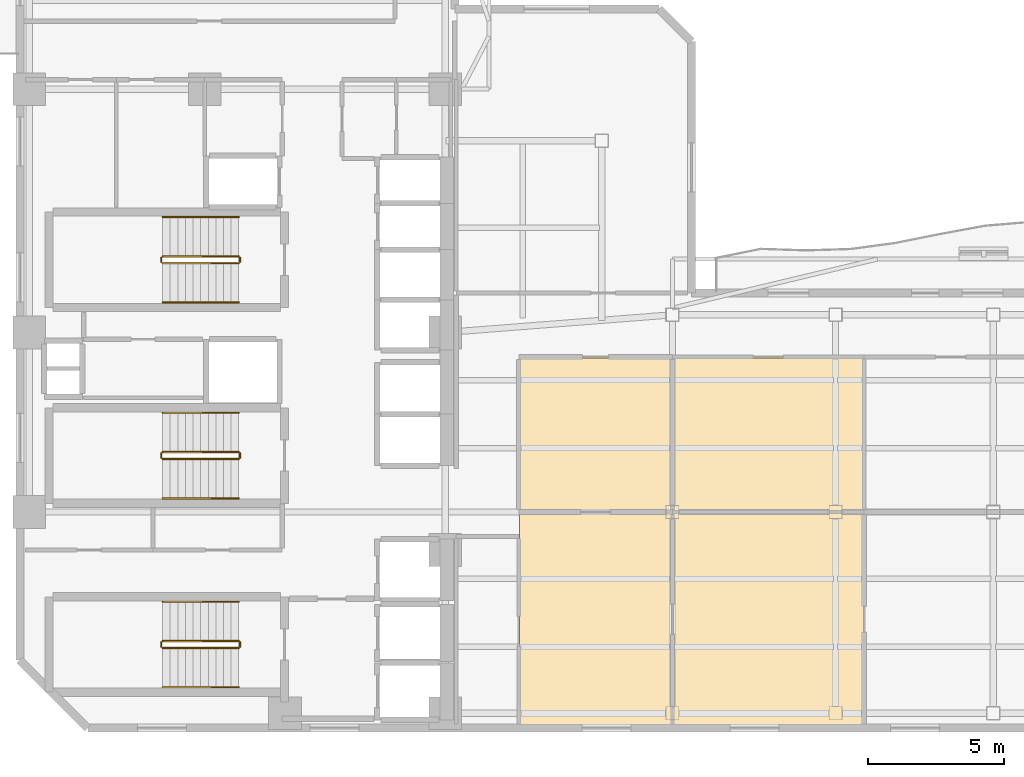
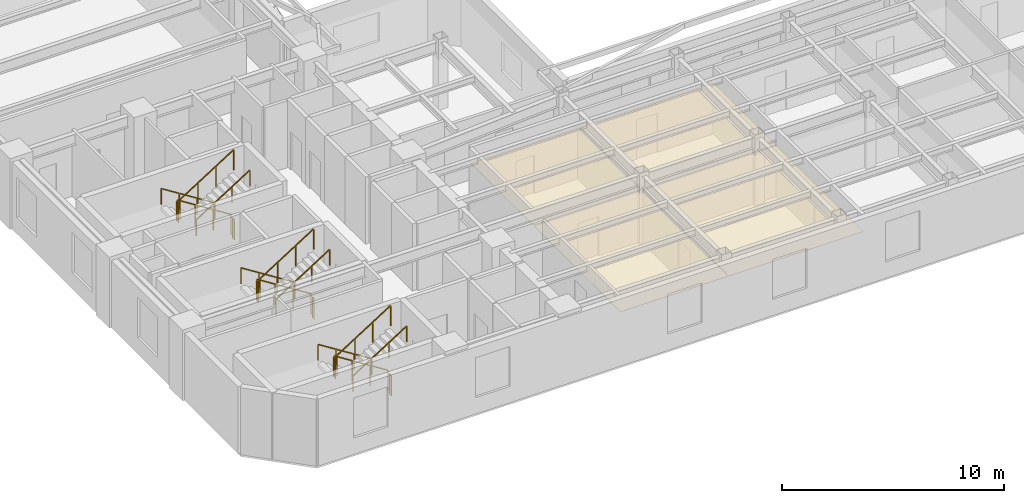
# One storey, part 7 of 9: 18 railings, 4 coverings.
"""IFC4 building model written with IfcOpenShell, lengths in metres."""

from ifc_helpers import new_model, si_unit, direction, frame, origin, origin_2d, place, context, subcontext, project, spatial, polyline, rectangle, outline, extrude, material, layer, layer_set, type_object, element, save


model = new_model("IFC4")

# Units and contexts
model_context = context("Model", 3, precision=1e-05, world=origin(), true_north=direction((0.0, 1.0)))
body_context = subcontext(model_context, "Body", "Model", "MODEL_VIEW")
ifc_project = project(units=[si_unit("LENGTHUNIT", "METRE"), si_unit("AREAUNIT", "SQUARE_METRE"), si_unit("VOLUMEUNIT", "CUBIC_METRE"), si_unit("PLANEANGLEUNIT", "RADIAN"), si_unit("MASSUNIT", "GRAM", prefix="KILO")], contexts=[model_context])

# Site, building, storey
site_placement = place(None, origin())
site = spatial("IfcSite", under=ifc_project, at=site_placement, CompositionType="ELEMENT")
building_placement = place(site_placement, origin())
building = spatial("IfcBuilding", under=site, at=building_placement, Name="Mawjaban Terraces University", CompositionType="ELEMENT")
storey_placement = place(building_placement, frame((0.0, 0.0, 138.5)))
storey = spatial("IfcBuildingStorey", under=building, at=storey_placement, Name="L33", CompositionType="ELEMENT", Elevation=138.5)

# Coverings
ifc_material_1 = material(Name="Acoustic mineral fibre ceiling tile", Category="masonry")
ifc_layer = layer(ifc_material_1, 0.02001953125)
ifc_layer_set = layer_set([ifc_layer], Name="Acoustic mineral fibre ceiling tile")
covering_type = type_object("IfcCoveringType", Name="AcousticMineralCeiling_20", PredefinedType="CEILING", material=ifc_layer_set)
covering_1_placement = place(storey_placement, frame((0.0, 0.0, 2.75)))
element("IfcCovering", 1, at=covering_1_placement, inside=storey, type_object=covering_type, Name="L33 Teaching Laboratory 2 Acoustic Ceiling", PredefinedType="CEILING", context=body_context, shape_type="SweptSolid", body=[
    extrude(outline(polyline([(40.3798828125, 0.114990234375), (45.969970703125, 0.114990234375), (45.969970703125, 7.919921875), (40.3798828125, 7.919921875), (40.3798828125, 0.114990234375)])), origin(), (0.0, 0.0, 1.0), 0.02001953125),
])
covering_2_placement = place(storey_placement, frame((0.0, 0.0, 2.75)))
element("IfcCovering", 2, at=covering_2_placement, inside=storey, type_object=covering_type, Name="L33 Design Studio 3 Acoustic Ceiling", PredefinedType="CEILING", context=body_context, shape_type="SweptSolid", body=[
    extrude(outline(polyline([(45.969970703125, 7.97998046875), (45.969970703125, 13.6201171875), (40.3798828125, 13.6201171875), (40.3798828125, 7.97998046875), (45.969970703125, 7.97998046875)])), origin(), (0.0, 0.0, 1.0), 0.02001953125),
])
covering_3_placement = place(storey_placement, frame((0.0, 0.0, 2.75)))
element("IfcCovering", 3, at=covering_3_placement, inside=storey, type_object=covering_type, Name="L33 Computational Laboratory 4 Acoustic Ceiling", PredefinedType="CEILING", context=body_context, shape_type="SweptSolid", body=[
    extrude(outline(polyline([(46.030029296875, 0.114990234375), (53.02490234375, 0.114990234375), (53.02490234375, 7.919921875), (46.030029296875, 7.919921875), (46.030029296875, 0.114990234375)])), origin(), (0.0, 0.0, 1.0), 0.02001953125),
])
covering_4_placement = place(storey_placement, frame((0.0, 0.0, 2.75)))
element("IfcCovering", 4, at=covering_4_placement, inside=storey, type_object=covering_type, Name="L33 Teaching Laboratory 5 Acoustic Ceiling", PredefinedType="CEILING", context=body_context, shape_type="SweptSolid", body=[
    extrude(outline(polyline([(53.02490234375, 7.97998046875), (53.02490234375, 13.6201171875), (46.030029296875, 13.6201171875), (46.030029296875, 7.97998046875), (53.02490234375, 7.97998046875)])), origin(), (0.0, 0.0, 1.0), 0.02001953125),
])

# Railings
ifc_material_2 = material(Name="Brushed stainless steel 316", Category="steel")
railing_type_1 = type_object("IfcRailingType", Name="StairWallHandrail_900", PredefinedType="HANDRAIL", material=ifc_material_2)
railing_1_placement = place(storey_placement, frame((30.050048828125, 4.64990234375, 0.17724609375)))
element("IfcRailing", 5, at=railing_1_placement, inside=storey, type_object=railing_type_1, Name="L33 ST-1 stair handrail 1", PredefinedType="HANDRAIL", context=body_context, shape_type="SweptSolid", body=[
    extrude(rectangle(XDim=0.048095703125, YDim=0.048095703125, at=origin_2d()), frame((0.0, 0.0, 0.8759765625), z_axis=(-0.844908973607, 0.0, 0.534910110503), x_axis=(0.0, -1.0, 0.0)), (0.0, 0.0, 1.0), 3.31396484375),
    extrude(rectangle(XDim=0.0419921875, YDim=0.0419921875, at=origin_2d()), origin(), (0.0, 0.0, 1.0), 0.851806640625),
    extrude(rectangle(XDim=0.0419921875, YDim=0.0419921875, at=origin_2d()), frame((-0.933349609375, 0.0, 0.5908203125)), (0.0, 0.0, 1.0), 0.851806640625),
    extrude(rectangle(XDim=0.0419921875, YDim=0.0419921875, at=origin_2d()), frame((-1.86669921875, 0.0, 1.181884765625)), (0.0, 0.0, 1.0), 0.851806640625),
    extrude(rectangle(XDim=0.0419921875, YDim=0.0419921875, at=origin_2d()), frame((-2.800048828125, 0.0, 1.772705078125)), (0.0, 0.0, 1.0), 0.851806640625),
])
railing_2_placement = place(storey_placement, frame((27.25, 1.5, 2.127197265625)))
element("IfcRailing", 6, at=railing_2_placement, inside=storey, type_object=railing_type_1, Name="L33 ST-1 stair handrail 2", PredefinedType="HANDRAIL", context=body_context, shape_type="SweptSolid", body=[
    extrude(rectangle(XDim=0.048095703125, YDim=0.048095703125, at=origin_2d()), frame((0.0, 0.0, 0.8759765625), z_axis=(0.844908973607, 0.0, 0.534910110503), x_axis=(0.0, 1.0, 0.0)), (0.0, 0.0, 1.0), 3.31396484375),
    extrude(rectangle(XDim=0.0419921875, YDim=0.0419921875, at=origin_2d()), origin(), (0.0, 0.0, 1.0), 0.851806640625),
    extrude(rectangle(XDim=0.0419921875, YDim=0.0419921875, at=origin_2d()), frame((0.933349609375, 0.0, 0.5908203125)), (0.0, 0.0, 1.0), 0.851806640625),
    extrude(rectangle(XDim=0.0419921875, YDim=0.0419921875, at=origin_2d()), frame((1.86669921875, 0.0, 1.181884765625)), (0.0, 0.0, 1.0), 0.851806640625),
    extrude(rectangle(XDim=0.0419921875, YDim=0.0419921875, at=origin_2d()), frame((2.800048828125, 0.0, 1.772705078125)), (0.0, 0.0, 1.0), 0.851806640625),
])
railing_3_placement = place(storey_placement, frame((30.050048828125, 18.800048828125, 0.17724609375)))
element("IfcRailing", 7, at=railing_3_placement, inside=storey, type_object=railing_type_1, Name="L33 ST-2 stair handrail 1", PredefinedType="HANDRAIL", context=body_context, shape_type="SweptSolid", body=[
    extrude(rectangle(XDim=0.048095703125, YDim=0.048095703125, at=origin_2d()), frame((0.0, 0.0, 0.8759765625), z_axis=(-0.844908973607, 0.0, 0.534910110503), x_axis=(0.0, -1.0, 0.0)), (0.0, 0.0, 1.0), 3.31396484375),
    extrude(rectangle(XDim=0.0419921875, YDim=0.0419921875, at=origin_2d()), origin(), (0.0, 0.0, 1.0), 0.851806640625),
    extrude(rectangle(XDim=0.0419921875, YDim=0.0419921875, at=origin_2d()), frame((-0.933349609375, 0.0, 0.5908203125)), (0.0, 0.0, 1.0), 0.851806640625),
    extrude(rectangle(XDim=0.0419921875, YDim=0.0419921875, at=origin_2d()), frame((-1.86669921875, 0.0, 1.181884765625)), (0.0, 0.0, 1.0), 0.851806640625),
    extrude(rectangle(XDim=0.0419921875, YDim=0.0419921875, at=origin_2d()), frame((-2.800048828125, 0.0, 1.772705078125)), (0.0, 0.0, 1.0), 0.851806640625),
])
railing_4_placement = place(storey_placement, frame((27.25, 15.64990234375, 2.127197265625)))
element("IfcRailing", 8, at=railing_4_placement, inside=storey, type_object=railing_type_1, Name="L33 ST-2 stair handrail 2", PredefinedType="HANDRAIL", context=body_context, shape_type="SweptSolid", body=[
    extrude(rectangle(XDim=0.048095703125, YDim=0.048095703125, at=origin_2d()), frame((0.0, 0.0, 0.8759765625), z_axis=(0.844908973607, 0.0, 0.534910110503), x_axis=(0.0, 1.0, 0.0)), (0.0, 0.0, 1.0), 3.31396484375),
    extrude(rectangle(XDim=0.0419921875, YDim=0.0419921875, at=origin_2d()), origin(), (0.0, 0.0, 1.0), 0.851806640625),
    extrude(rectangle(XDim=0.0419921875, YDim=0.0419921875, at=origin_2d()), frame((0.933349609375, 0.0, 0.5908203125)), (0.0, 0.0, 1.0), 0.851806640625),
    extrude(rectangle(XDim=0.0419921875, YDim=0.0419921875, at=origin_2d()), frame((1.86669921875, 0.0, 1.181884765625)), (0.0, 0.0, 1.0), 0.851806640625),
    extrude(rectangle(XDim=0.0419921875, YDim=0.0419921875, at=origin_2d()), frame((2.800048828125, 0.0, 1.772705078125)), (0.0, 0.0, 1.0), 0.851806640625),
])
railing_5_placement = place(storey_placement, frame((30.050048828125, 11.60009765625, 0.17724609375)))
element("IfcRailing", 9, at=railing_5_placement, inside=storey, type_object=railing_type_1, Name="L33 ST-3 stair handrail 1", PredefinedType="HANDRAIL", context=body_context, shape_type="SweptSolid", body=[
    extrude(rectangle(XDim=0.048095703125, YDim=0.048095703125, at=origin_2d()), frame((0.0, 0.0, 0.8759765625), z_axis=(-0.844908973607, 0.0, 0.534910110503), x_axis=(0.0, -1.0, 0.0)), (0.0, 0.0, 1.0), 3.31396484375),
    extrude(rectangle(XDim=0.0419921875, YDim=0.0419921875, at=origin_2d()), origin(), (0.0, 0.0, 1.0), 0.851806640625),
    extrude(rectangle(XDim=0.0419921875, YDim=0.0419921875, at=origin_2d()), frame((-0.933349609375, 0.0, 0.5908203125)), (0.0, 0.0, 1.0), 0.851806640625),
    extrude(rectangle(XDim=0.0419921875, YDim=0.0419921875, at=origin_2d()), frame((-1.86669921875, 0.0, 1.181884765625)), (0.0, 0.0, 1.0), 0.851806640625),
    extrude(rectangle(XDim=0.0419921875, YDim=0.0419921875, at=origin_2d()), frame((-2.800048828125, 0.0, 1.772705078125)), (0.0, 0.0, 1.0), 0.851806640625),
])
railing_6_placement = place(storey_placement, frame((27.25, 8.449951171875, 2.127197265625)))
element("IfcRailing", 10, at=railing_6_placement, inside=storey, type_object=railing_type_1, Name="L33 ST-3 stair handrail 2", PredefinedType="HANDRAIL", context=body_context, shape_type="SweptSolid", body=[
    extrude(rectangle(XDim=0.048095703125, YDim=0.048095703125, at=origin_2d()), frame((0.0, 0.0, 0.8759765625), z_axis=(0.844908973607, 0.0, 0.534910110503), x_axis=(0.0, 1.0, 0.0)), (0.0, 0.0, 1.0), 3.31396484375),
    extrude(rectangle(XDim=0.0419921875, YDim=0.0419921875, at=origin_2d()), origin(), (0.0, 0.0, 1.0), 0.851806640625),
    extrude(rectangle(XDim=0.0419921875, YDim=0.0419921875, at=origin_2d()), frame((0.933349609375, 0.0, 0.5908203125)), (0.0, 0.0, 1.0), 0.851806640625),
    extrude(rectangle(XDim=0.0419921875, YDim=0.0419921875, at=origin_2d()), frame((1.86669921875, 0.0, 1.181884765625)), (0.0, 0.0, 1.0), 0.851806640625),
    extrude(rectangle(XDim=0.0419921875, YDim=0.0419921875, at=origin_2d()), frame((2.800048828125, 0.0, 1.772705078125)), (0.0, 0.0, 1.0), 0.851806640625),
])
ifc_material_3 = material(Name="Galvanised painted steel S355", Category="steel")
railing_type_2 = type_object("IfcRailingType", Name="StairWellGuard_1150", PredefinedType="BALUSTRADE", material=ifc_material_3)
railing_7_placement = place(storey_placement, frame((30.050048828125, 3.199951171875, 0.17724609375)))
element("IfcRailing", 11, at=railing_7_placement, inside=storey, type_object=railing_type_2, Name="L33 ST-1 stair guard 1", PredefinedType="BALUSTRADE", context=body_context, shape_type="SweptSolid", body=[
    extrude(rectangle(XDim=0.048095703125, YDim=0.048095703125, at=origin_2d()), frame((0.0, 0.0, 1.1259765625), z_axis=(-0.844908973607, 0.0, 0.534910110503), x_axis=(0.0, -1.0, 0.0)), (0.0, 0.0, 1.0), 3.31396484375),
    extrude(rectangle(XDim=0.0419921875, YDim=0.0419921875, at=origin_2d()), origin(), (0.0, 0.0, 1.0), 1.101806640625),
    extrude(rectangle(XDim=0.0419921875, YDim=0.0419921875, at=origin_2d()), frame((-0.933349609375, 0.0, 0.5908203125)), (0.0, 0.0, 1.0), 1.101806640625),
    extrude(rectangle(XDim=0.0419921875, YDim=0.0419921875, at=origin_2d()), frame((-1.86669921875, 0.0, 1.181884765625)), (0.0, 0.0, 1.0), 1.101806640625),
    extrude(rectangle(XDim=0.0419921875, YDim=0.0419921875, at=origin_2d()), frame((-2.800048828125, 0.0, 1.772705078125)), (0.0, 0.0, 1.0), 1.101806640625),
])
railing_8_placement = place(storey_placement, frame((27.199951171875, 3.14990234375, 1.949951171875)))
element("IfcRailing", 12, at=railing_8_placement, inside=storey, type_object=railing_type_2, Name="L33 ST-1 stair guard 2", PredefinedType="BALUSTRADE", context=body_context, shape_type="SweptSolid", body=[
    extrude(rectangle(XDim=0.048095703125, YDim=0.048095703125, at=origin_2d()), frame((0.0, 0.0, 1.1259765625), z_axis=(0.0, -1.0, 0.0), x_axis=(1.0, 0.0, 0.0)), (0.0, 0.0, 1.0), 0.14990234375),
    extrude(rectangle(XDim=0.0419921875, YDim=0.0419921875, at=origin_2d()), origin(), (0.0, 0.0, 1.0), 1.101806640625),
    extrude(rectangle(XDim=0.0419921875, YDim=0.0419921875, at=origin_2d()), frame((0.0, -0.14990234375, 0.0)), (0.0, 0.0, 1.0), 1.101806640625),
])
railing_9_placement = place(storey_placement, frame((27.25, 2.949951171875, 2.127197265625)))
element("IfcRailing", 13, at=railing_9_placement, inside=storey, type_object=railing_type_2, Name="L33 ST-1 stair guard 3", PredefinedType="BALUSTRADE", context=body_context, shape_type="SweptSolid", body=[
    extrude(rectangle(XDim=0.048095703125, YDim=0.048095703125, at=origin_2d()), frame((0.0, 0.0, 1.1259765625), z_axis=(0.844908973607, 0.0, 0.534910110503), x_axis=(0.0, 1.0, 0.0)), (0.0, 0.0, 1.0), 3.31396484375),
    extrude(rectangle(XDim=0.0419921875, YDim=0.0419921875, at=origin_2d()), origin(), (0.0, 0.0, 1.0), 1.101806640625),
    extrude(rectangle(XDim=0.0419921875, YDim=0.0419921875, at=origin_2d()), frame((0.933349609375, 0.0, 0.5908203125)), (0.0, 0.0, 1.0), 1.101806640625),
    extrude(rectangle(XDim=0.0419921875, YDim=0.0419921875, at=origin_2d()), frame((1.86669921875, 0.0, 1.181884765625)), (0.0, 0.0, 1.0), 1.101806640625),
    extrude(rectangle(XDim=0.0419921875, YDim=0.0419921875, at=origin_2d()), frame((2.800048828125, 0.0, 1.772705078125)), (0.0, 0.0, 1.0), 1.101806640625),
])
railing_10_placement = place(storey_placement, frame((30.10009765625, 3.14990234375, 0.0)))
element("IfcRailing", 14, at=railing_10_placement, inside=storey, type_object=railing_type_2, Name="L33 ST-1 stair guard 4", PredefinedType="BALUSTRADE", context=body_context, shape_type="SweptSolid", body=[
    extrude(rectangle(XDim=0.048095703125, YDim=0.048095703125, at=origin_2d()), frame((0.0, 0.0, 1.1259765625), z_axis=(0.0, -1.0, 0.0), x_axis=(1.0, 0.0, 0.0)), (0.0, 0.0, 1.0), 0.14990234375),
    extrude(rectangle(XDim=0.0419921875, YDim=0.0419921875, at=origin_2d()), origin(), (0.0, 0.0, 1.0), 1.101806640625),
    extrude(rectangle(XDim=0.0419921875, YDim=0.0419921875, at=origin_2d()), frame((0.0, -0.14990234375, 0.0)), (0.0, 0.0, 1.0), 1.101806640625),
])
railing_11_placement = place(storey_placement, frame((30.050048828125, 17.35009765625, 0.17724609375)))
element("IfcRailing", 15, at=railing_11_placement, inside=storey, type_object=railing_type_2, Name="L33 ST-2 stair guard 1", PredefinedType="BALUSTRADE", context=body_context, shape_type="SweptSolid", body=[
    extrude(rectangle(XDim=0.048095703125, YDim=0.048095703125, at=origin_2d()), frame((0.0, 0.0, 1.1259765625), z_axis=(-0.844908973607, 0.0, 0.534910110503), x_axis=(0.0, -1.0, 0.0)), (0.0, 0.0, 1.0), 3.31396484375),
    extrude(rectangle(XDim=0.0419921875, YDim=0.0419921875, at=origin_2d()), origin(), (0.0, 0.0, 1.0), 1.101806640625),
    extrude(rectangle(XDim=0.0419921875, YDim=0.0419921875, at=origin_2d()), frame((-0.933349609375, 0.0, 0.5908203125)), (0.0, 0.0, 1.0), 1.101806640625),
    extrude(rectangle(XDim=0.0419921875, YDim=0.0419921875, at=origin_2d()), frame((-1.86669921875, 0.0, 1.181884765625)), (0.0, 0.0, 1.0), 1.101806640625),
    extrude(rectangle(XDim=0.0419921875, YDim=0.0419921875, at=origin_2d()), frame((-2.800048828125, 0.0, 1.772705078125)), (0.0, 0.0, 1.0), 1.101806640625),
])
railing_12_placement = place(storey_placement, frame((27.199951171875, 17.300048828125, 1.949951171875)))
element("IfcRailing", 16, at=railing_12_placement, inside=storey, type_object=railing_type_2, Name="L33 ST-2 stair guard 2", PredefinedType="BALUSTRADE", context=body_context, shape_type="SweptSolid", body=[
    extrude(rectangle(XDim=0.048095703125, YDim=0.048095703125, at=origin_2d()), frame((0.0, 0.0, 1.1259765625), z_axis=(0.0, -1.0, 0.0), x_axis=(1.0, 0.0, 0.0)), (0.0, 0.0, 1.0), 0.150146484375),
    extrude(rectangle(XDim=0.0419921875, YDim=0.0419921875, at=origin_2d()), origin(), (0.0, 0.0, 1.0), 1.101806640625),
    extrude(rectangle(XDim=0.0419921875, YDim=0.0419921875, at=origin_2d()), frame((0.0, -0.150146484375, 0.0)), (0.0, 0.0, 1.0), 1.101806640625),
])
railing_13_placement = place(storey_placement, frame((27.25, 17.10009765625, 2.127197265625)))
element("IfcRailing", 17, at=railing_13_placement, inside=storey, type_object=railing_type_2, Name="L33 ST-2 stair guard 3", PredefinedType="BALUSTRADE", context=body_context, shape_type="SweptSolid", body=[
    extrude(rectangle(XDim=0.048095703125, YDim=0.048095703125, at=origin_2d()), frame((0.0, 0.0, 1.1259765625), z_axis=(0.844908973607, 0.0, 0.534910110503), x_axis=(0.0, 1.0, 0.0)), (0.0, 0.0, 1.0), 3.31396484375),
    extrude(rectangle(XDim=0.0419921875, YDim=0.0419921875, at=origin_2d()), origin(), (0.0, 0.0, 1.0), 1.101806640625),
    extrude(rectangle(XDim=0.0419921875, YDim=0.0419921875, at=origin_2d()), frame((0.933349609375, 0.0, 0.5908203125)), (0.0, 0.0, 1.0), 1.101806640625),
    extrude(rectangle(XDim=0.0419921875, YDim=0.0419921875, at=origin_2d()), frame((1.86669921875, 0.0, 1.181884765625)), (0.0, 0.0, 1.0), 1.101806640625),
    extrude(rectangle(XDim=0.0419921875, YDim=0.0419921875, at=origin_2d()), frame((2.800048828125, 0.0, 1.772705078125)), (0.0, 0.0, 1.0), 1.101806640625),
])
railing_14_placement = place(storey_placement, frame((30.10009765625, 17.300048828125, 0.0)))
element("IfcRailing", 18, at=railing_14_placement, inside=storey, type_object=railing_type_2, Name="L33 ST-2 stair guard 4", PredefinedType="BALUSTRADE", context=body_context, shape_type="SweptSolid", body=[
    extrude(rectangle(XDim=0.048095703125, YDim=0.048095703125, at=origin_2d()), frame((0.0, 0.0, 1.1259765625), z_axis=(0.0, -1.0, 0.0), x_axis=(1.0, 0.0, 0.0)), (0.0, 0.0, 1.0), 0.150146484375),
    extrude(rectangle(XDim=0.0419921875, YDim=0.0419921875, at=origin_2d()), origin(), (0.0, 0.0, 1.0), 1.101806640625),
    extrude(rectangle(XDim=0.0419921875, YDim=0.0419921875, at=origin_2d()), frame((0.0, -0.150146484375, 0.0)), (0.0, 0.0, 1.0), 1.101806640625),
])
railing_15_placement = place(storey_placement, frame((30.050048828125, 10.14990234375, 0.17724609375)))
element("IfcRailing", 19, at=railing_15_placement, inside=storey, type_object=railing_type_2, Name="L33 ST-3 stair guard 1", PredefinedType="BALUSTRADE", context=body_context, shape_type="SweptSolid", body=[
    extrude(rectangle(XDim=0.048095703125, YDim=0.048095703125, at=origin_2d()), frame((0.0, 0.0, 1.1259765625), z_axis=(-0.844908973607, 0.0, 0.534910110503), x_axis=(0.0, -1.0, 0.0)), (0.0, 0.0, 1.0), 3.31396484375),
    extrude(rectangle(XDim=0.0419921875, YDim=0.0419921875, at=origin_2d()), origin(), (0.0, 0.0, 1.0), 1.101806640625),
    extrude(rectangle(XDim=0.0419921875, YDim=0.0419921875, at=origin_2d()), frame((-0.933349609375, 0.0, 0.5908203125)), (0.0, 0.0, 1.0), 1.101806640625),
    extrude(rectangle(XDim=0.0419921875, YDim=0.0419921875, at=origin_2d()), frame((-1.86669921875, 0.0, 1.181884765625)), (0.0, 0.0, 1.0), 1.101806640625),
    extrude(rectangle(XDim=0.0419921875, YDim=0.0419921875, at=origin_2d()), frame((-2.800048828125, 0.0, 1.772705078125)), (0.0, 0.0, 1.0), 1.101806640625),
])
railing_16_placement = place(storey_placement, frame((27.199951171875, 10.10009765625, 1.949951171875)))
element("IfcRailing", 20, at=railing_16_placement, inside=storey, type_object=railing_type_2, Name="L33 ST-3 stair guard 2", PredefinedType="BALUSTRADE", context=body_context, shape_type="SweptSolid", body=[
    extrude(rectangle(XDim=0.048095703125, YDim=0.048095703125, at=origin_2d()), frame((0.0, 0.0, 1.1259765625), z_axis=(0.0, -1.0, 0.0), x_axis=(1.0, 0.0, 0.0)), (0.0, 0.0, 1.0), 0.150146484375),
    extrude(rectangle(XDim=0.0419921875, YDim=0.0419921875, at=origin_2d()), origin(), (0.0, 0.0, 1.0), 1.101806640625),
    extrude(rectangle(XDim=0.0419921875, YDim=0.0419921875, at=origin_2d()), frame((0.0, -0.150146484375, 0.0)), (0.0, 0.0, 1.0), 1.101806640625),
])
railing_17_placement = place(storey_placement, frame((27.25, 9.89990234375, 2.127197265625)))
element("IfcRailing", 21, at=railing_17_placement, inside=storey, type_object=railing_type_2, Name="L33 ST-3 stair guard 3", PredefinedType="BALUSTRADE", context=body_context, shape_type="SweptSolid", body=[
    extrude(rectangle(XDim=0.048095703125, YDim=0.048095703125, at=origin_2d()), frame((0.0, 0.0, 1.1259765625), z_axis=(0.844908973607, 0.0, 0.534910110503), x_axis=(0.0, 1.0, 0.0)), (0.0, 0.0, 1.0), 3.31396484375),
    extrude(rectangle(XDim=0.0419921875, YDim=0.0419921875, at=origin_2d()), origin(), (0.0, 0.0, 1.0), 1.101806640625),
    extrude(rectangle(XDim=0.0419921875, YDim=0.0419921875, at=origin_2d()), frame((0.933349609375, 0.0, 0.5908203125)), (0.0, 0.0, 1.0), 1.101806640625),
    extrude(rectangle(XDim=0.0419921875, YDim=0.0419921875, at=origin_2d()), frame((1.86669921875, 0.0, 1.181884765625)), (0.0, 0.0, 1.0), 1.101806640625),
    extrude(rectangle(XDim=0.0419921875, YDim=0.0419921875, at=origin_2d()), frame((2.800048828125, 0.0, 1.772705078125)), (0.0, 0.0, 1.0), 1.101806640625),
])
railing_18_placement = place(storey_placement, frame((30.10009765625, 10.10009765625, 0.0)))
element("IfcRailing", 22, at=railing_18_placement, inside=storey, type_object=railing_type_2, Name="L33 ST-3 stair guard 4", PredefinedType="BALUSTRADE", context=body_context, shape_type="SweptSolid", body=[
    extrude(rectangle(XDim=0.048095703125, YDim=0.048095703125, at=origin_2d()), frame((0.0, 0.0, 1.1259765625), z_axis=(0.0, -1.0, 0.0), x_axis=(1.0, 0.0, 0.0)), (0.0, 0.0, 1.0), 0.150146484375),
    extrude(rectangle(XDim=0.0419921875, YDim=0.0419921875, at=origin_2d()), origin(), (0.0, 0.0, 1.0), 1.101806640625),
    extrude(rectangle(XDim=0.0419921875, YDim=0.0419921875, at=origin_2d()), frame((0.0, -0.150146484375, 0.0)), (0.0, 0.0, 1.0), 1.101806640625),
])

save(model, "model.ifc")
